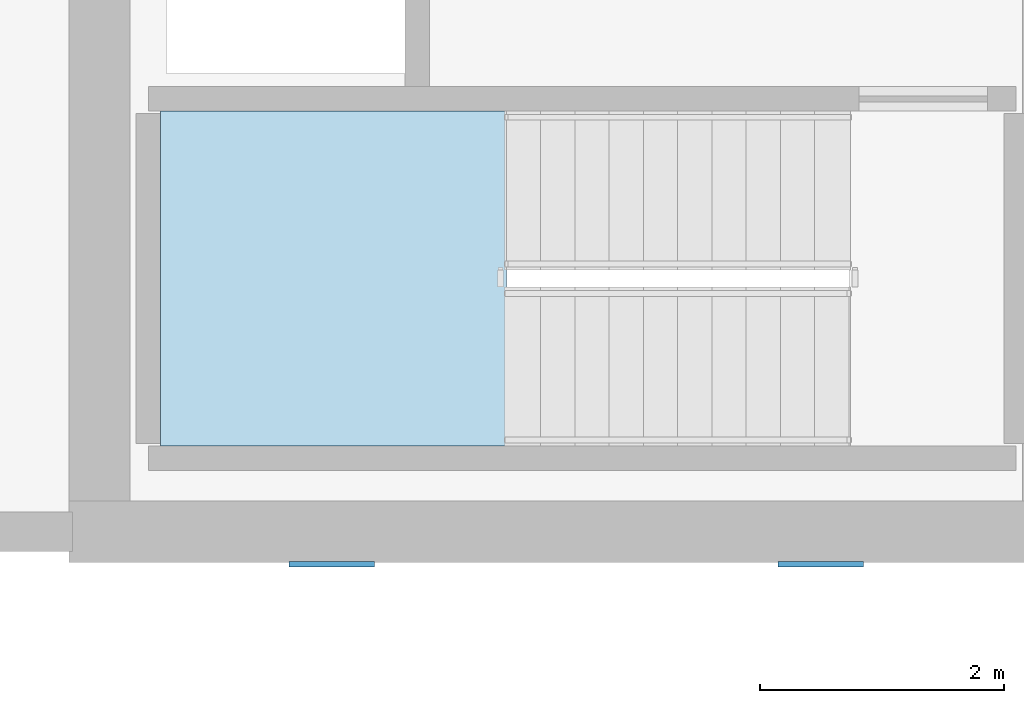
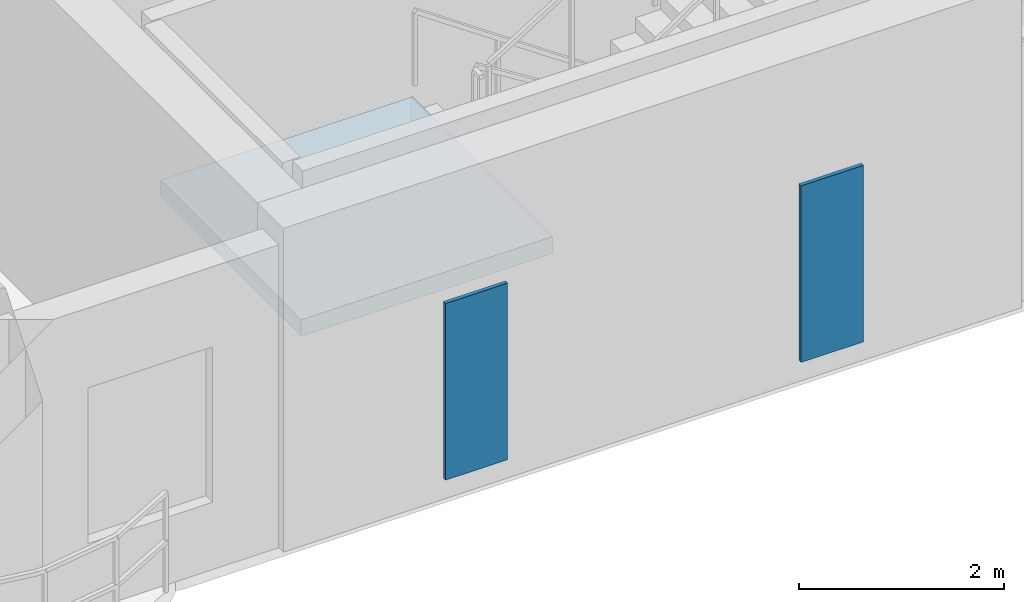
# One storey, part 2 of 15: 2 plates, 1 slab, 1 element without a shape of its own.
"""IFC4 building model written with IfcOpenShell, lengths in metres."""

from ifc_helpers import new_model, si_unit, derived_unit, direction, frame, origin, origin_2d, place, context, subcontext, project, spatial, polyline, rectangle, outline, extrude, source, transform, mapped, material, layer, layer_set, type_object, type_shapes, element, aggregate, save


model = new_model("IFC4")

# Units and contexts
model_context = context("Model", 3, precision=1e-05, world=origin(), true_north=direction((0.0, 1.0)))
body_context = subcontext(model_context, "Body", "Model", "MODEL_VIEW")
ifc_project = project(units=[si_unit("LENGTHUNIT", "METRE"), si_unit("AREAUNIT", "SQUARE_METRE"), si_unit("VOLUMEUNIT", "CUBIC_METRE"), si_unit("PLANEANGLEUNIT", "RADIAN"), si_unit("MASSUNIT", "GRAM", prefix="KILO"), si_unit("THERMODYNAMICTEMPERATUREUNIT", "KELVIN"), si_unit("POWERUNIT", "WATT"), derived_unit("THERMALTRANSMITTANCEUNIT", [(si_unit("POWERUNIT", "WATT"), 1), (si_unit("AREAUNIT", "SQUARE_METRE"), -1), (si_unit("THERMODYNAMICTEMPERATUREUNIT", "KELVIN"), -1)])], contexts=[model_context])

# Site, building, storey
site_placement = place(None, origin())
site = spatial("IfcSite", under=ifc_project, at=site_placement, CompositionType="ELEMENT")
building_placement = place(site_placement, origin())
building = spatial("IfcBuilding", under=site, at=building_placement, Name="Zahravan Archway Hotel and Residences", CompositionType="ELEMENT")
storey_placement = place(building_placement, frame((0.0, 0.0, 184.949951171875)))
storey = spatial("IfcBuildingStorey", under=building, at=storey_placement, Name="L46", CompositionType="ELEMENT", Elevation=184.949951171875)

# Stair, slab
ifc_material_1 = material(Name="Concrete C50/60", Category="concrete")
stair_type = type_object("IfcStairType", Name="STR-CORE-1300", PredefinedType="HALF_TURN_STAIR", material=ifc_material_1)
stair_placement = place(storey_placement, origin())
stair = element("IfcStair", 1, at=stair_placement, inside=storey, type_object=stair_type, Name="L46 Core B Exit Stair 1", PredefinedType="HALF_TURN_STAIR")
ifc_layer_1 = layer(ifc_material_1, 0.199951171875, Name="Concrete C50/60", Category="concrete")
ifc_layer_set_1 = layer_set([ifc_layer_1], Name="Concrete C50/60")
slab_type = type_object("IfcSlabType", Name="SLB-LND-200", PredefinedType="LANDING", material=ifc_layer_set_1)
slab_placement = place(storey_placement, frame((0.0, 0.0, 1.72509765625)))
slab = element("IfcSlab", 2, at=slab_placement, type_object=slab_type, Name="ST-B1 landing 1", PredefinedType="LANDING", context=body_context, shape_type="SweptSolid", body=[
    extrude(outline(polyline([(6.929931640625, 28.639892578125), (4.10009765625, 28.639892578125), (4.10009765625, 25.89990234375), (6.929931640625, 25.89990234375), (6.929931640625, 28.639892578125)])), origin(), (0.0, 0.0, 1.0), 0.199951171875),
])
aggregate(stair, [slab])

# Plates
ifc_material_2 = material(Name="Perforated Cast Bronze Jali Lattice")
ifc_layer_2 = layer(ifc_material_2, 0.044921875, Name="Perforated Cast Bronze Jali Lattice")
ifc_layer_set_2 = layer_set([ifc_layer_2], Name="Perforated Cast Bronze Jali Lattice")
plate_type = type_object("IfcPlateType", Name="PLT-JALI-BAY", PredefinedType="USERDEFINED", material=ifc_layer_set_2)
shared_shape = source(origin(), body_context, "Body", "SweptSolid", [
    extrude(rectangle(XDim=0.699951171875, YDim=0.044921875, at=origin_2d()), origin(), (0.0, 0.0, 1.0), 2.10009765625),
])
type_shapes(plate_type, [shared_shape])
for number, where, z_axis, x_axis, name in (
    (3, (5.5, 24.931884765625, 0.25), (0.0, 0.0, 1.0), (1.0, 0.0, 0.0), "L46 Core B South Mughal Jali Screen 1"),
    (4, (9.5, 24.931884765625, 0.25), (0.0, 0.0, 1.0), (1.0, 0.0, 0.0), "L46 Core B South Mughal Jali Screen 2"),
):
    element("IfcPlate", number, at=place(storey_placement, frame(where, z_axis=z_axis, x_axis=x_axis)), inside=storey, type_object=plate_type, Name=name, ObjectType="SCREEN", PredefinedType="USERDEFINED", context=body_context, shape_type="MappedRepresentation", body=[
        mapped(shared_shape, transform((0.0, 0.0, 0.0), scale=1.0)),
    ])

save(model, "model.ifc")
